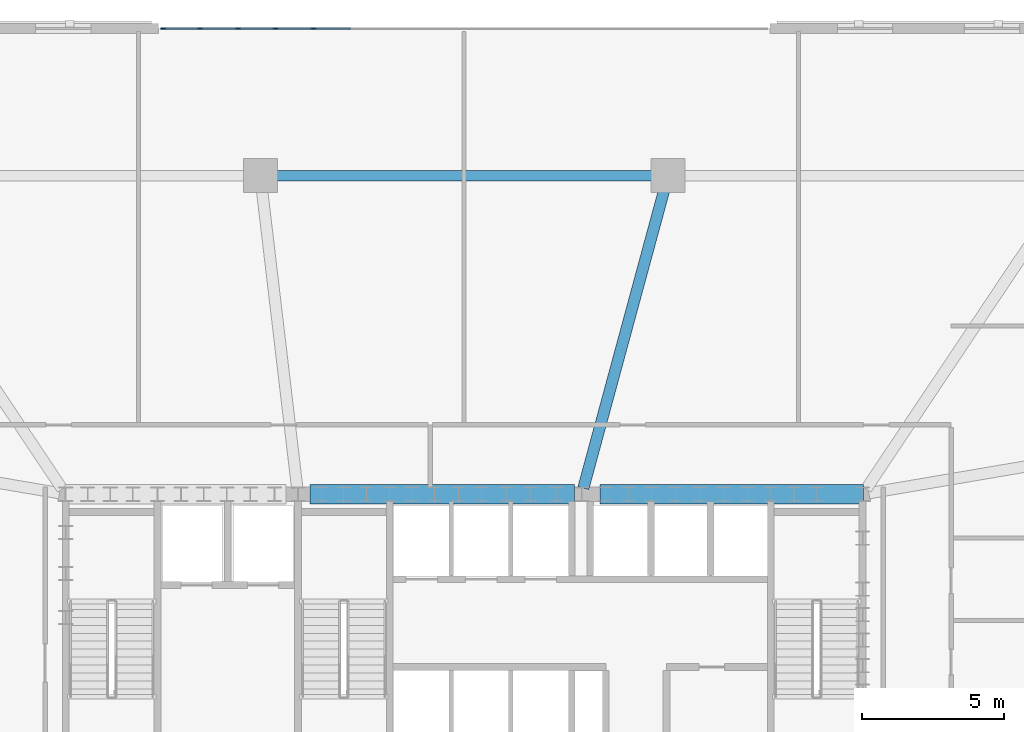
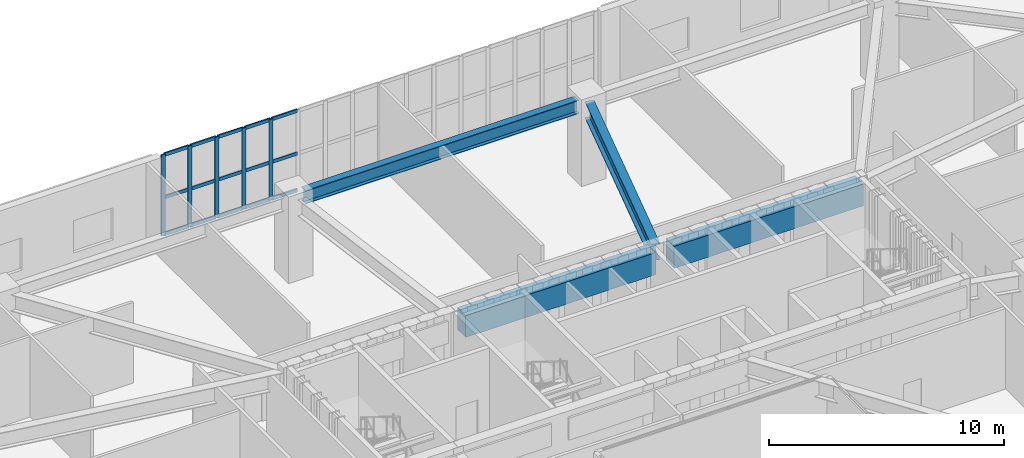
# One storey, part 9 of 25: 20 members, 4 beams, 1 element without a shape of its own.
"""IFC4 building model written with IfcOpenShell, lengths in metres."""

from ifc_helpers import new_model, si_unit, direction, frame, origin, origin_2d, place, context, subcontext, project, spatial, rectangle, i_section, extrude, material, material_profile, profile_set, type_object, element, aggregate, save


model = new_model("IFC4")

# Units and contexts
model_context = context("Model", 3, precision=1e-05, world=origin(), true_north=direction((0.0, 1.0)))
body_context = subcontext(model_context, "Body", "Model", "MODEL_VIEW")
ifc_project = project(units=[si_unit("LENGTHUNIT", "METRE"), si_unit("AREAUNIT", "SQUARE_METRE"), si_unit("VOLUMEUNIT", "CUBIC_METRE"), si_unit("PLANEANGLEUNIT", "RADIAN"), si_unit("MASSUNIT", "GRAM", prefix="KILO")], contexts=[model_context])

# Site, building, storey
site_placement = place(None, origin())
site = spatial("IfcSite", under=ifc_project, at=site_placement, CompositionType="ELEMENT")
building_placement = place(site_placement, origin())
building = spatial("IfcBuilding", under=site, at=building_placement, Name="Haldorwick Loom Tower", CompositionType="ELEMENT")
storey_placement = place(building_placement, frame((0.0, 0.0, 10.5)))
storey = spatial("IfcBuildingStorey", under=building, at=storey_placement, Name="L02", CompositionType="ELEMENT", Elevation=10.5)

# Curtain wall, members
ifc_material_1 = material(Name="Thermally Broken Anodized Aluminium Curtain Wall Framing", Category="aluminium")
curtain_wall_type = type_object("IfcCurtainWallType", Name="ARC-CW-02", PredefinedType="NOTDEFINED", material=ifc_material_1)
curtain_wall_placement = place(storey_placement, origin())
curtain_wall = element("IfcCurtainWall", 1, at=curtain_wall_placement, inside=storey, type_object=curtain_wall_type, Name="L02 Facade Curtain Wall CW-02 Bay 19", PredefinedType="NOTDEFINED")
ifc_material_profile_1 = material_profile(ifc_material_1, rectangle(XDim=0.070068359375, YDim=0.195068359375, at=origin_2d()), Name="ALU_MUL_70X195", Category="aluminium")
ifc_profile_set_1 = profile_set([ifc_material_profile_1], Name="Thermally Broken Anodized Aluminium Curtain Wall Framing")
member_type_1 = type_object("IfcMemberType", Name="ARC-CWM-02", PredefinedType="MULLION", material=ifc_profile_set_1)
member_1_placement = place(storey_placement, frame((30.669921875, 52.0, 0.0), z_axis=(0.0, 0.0, 1.0), x_axis=(0.0, -1.0, 0.0)))
member_1 = element("IfcMember", 2, at=member_1_placement, type_object=member_type_1, Name="CW-02 mullion 13", PredefinedType="MULLION", context=body_context, shape_type="SweptSolid", body=[
    extrude(rectangle(XDim=0.070068359375, YDim=0.195068359375, at=origin_2d()), origin(), (0.0, 0.0, 1.0), 4.199951171875),
])
member_2_placement = place(storey_placement, frame((29.33740234375, 52.0, 0.0), z_axis=(0.0, 0.0, 1.0), x_axis=(0.0, -1.0, 0.0)))
member_2 = element("IfcMember", 3, at=member_2_placement, type_object=member_type_1, Name="CW-02 mullion 14", PredefinedType="MULLION", context=body_context, shape_type="SweptSolid", body=[
    extrude(rectangle(XDim=0.070068359375, YDim=0.195068359375, at=origin_2d()), origin(), (0.0, 0.0, 1.0), 4.199951171875),
])
member_3_placement = place(storey_placement, frame((28.0048828125, 52.0, 0.0), z_axis=(0.0, 0.0, 1.0), x_axis=(0.0, -1.0, 0.0)))
member_3 = element("IfcMember", 4, at=member_3_placement, type_object=member_type_1, Name="CW-02 mullion 15", PredefinedType="MULLION", context=body_context, shape_type="SweptSolid", body=[
    extrude(rectangle(XDim=0.070068359375, YDim=0.195068359375, at=origin_2d()), origin(), (0.0, 0.0, 1.0), 4.199951171875),
])
member_4_placement = place(storey_placement, frame((26.672607421875, 52.0, 0.0), z_axis=(0.0, 0.0, 1.0), x_axis=(0.0, -1.0, 0.0)))
member_4 = element("IfcMember", 5, at=member_4_placement, type_object=member_type_1, Name="CW-02 mullion 16", PredefinedType="MULLION", context=body_context, shape_type="SweptSolid", body=[
    extrude(rectangle(XDim=0.070068359375, YDim=0.195068359375, at=origin_2d()), origin(), (0.0, 0.0, 1.0), 4.199951171875),
])
member_5_placement = place(storey_placement, frame((25.375, 52.0, 0.0), z_axis=(0.0, 0.0, 1.0), x_axis=(0.0, -1.0, 0.0)))
member_5 = element("IfcMember", 6, at=member_5_placement, type_object=member_type_1, Name="CW-02 mullion 17", PredefinedType="MULLION", context=body_context, shape_type="SweptSolid", body=[
    extrude(rectangle(XDim=0.070068359375, YDim=0.195068359375, at=origin_2d()), origin(), (0.0, 0.0, 1.0), 4.199951171875),
])
ifc_material_profile_2 = material_profile(ifc_material_1, rectangle(XDim=0.070068359375, YDim=0.175048828125, at=origin_2d()), Name="ALU_TRN_70X175", Category="aluminium")
ifc_profile_set_2 = profile_set([ifc_material_profile_2], Name="Thermally Broken Anodized Aluminium Curtain Wall Framing")
member_type_2 = type_object("IfcMemberType", Name="ARC-CWT-02", PredefinedType="USERDEFINED", material=ifc_profile_set_2)
member_6_placement = place(storey_placement, frame((31.967529296875, 52.0, 0.034912109375), z_axis=(-1.0, 0.0, 0.0), x_axis=(0.0, -1.0, 0.0)))
member_6 = element("IfcMember", 7, at=member_6_placement, type_object=member_type_2, Name="CW-02 transom 12.1", ObjectType="TRANSOM", PredefinedType="USERDEFINED", context=body_context, shape_type="SweptSolid", body=[
    extrude(rectangle(XDim=0.070068359375, YDim=0.175048828125, at=origin_2d()), origin(), (0.0, 0.0, 1.0), 1.262451171875),
])
member_7_placement = place(storey_placement, frame((31.967529296875, 52.0, 1.949951171875), z_axis=(-1.0, 0.0, 0.0), x_axis=(0.0, -1.0, 0.0)))
member_7 = element("IfcMember", 8, at=member_7_placement, type_object=member_type_2, Name="CW-02 transom 12.2", ObjectType="TRANSOM", PredefinedType="USERDEFINED", context=body_context, shape_type="SweptSolid", body=[
    extrude(rectangle(XDim=0.070068359375, YDim=0.175048828125, at=origin_2d()), origin(), (0.0, 0.0, 1.0), 1.262451171875),
])
member_8_placement = place(storey_placement, frame((31.967529296875, 52.0, 4.1650390625), z_axis=(-1.0, 0.0, 0.0), x_axis=(0.0, -1.0, 0.0)))
member_8 = element("IfcMember", 9, at=member_8_placement, type_object=member_type_2, Name="CW-02 transom 12.3", ObjectType="TRANSOM", PredefinedType="USERDEFINED", context=body_context, shape_type="SweptSolid", body=[
    extrude(rectangle(XDim=0.070068359375, YDim=0.175048828125, at=origin_2d()), origin(), (0.0, 0.0, 1.0), 1.262451171875),
])
member_9_placement = place(storey_placement, frame((30.635009765625, 52.0, 0.034912109375), z_axis=(-1.0, 0.0, 0.0), x_axis=(0.0, -1.0, 0.0)))
member_9 = element("IfcMember", 10, at=member_9_placement, type_object=member_type_2, Name="CW-02 transom 13.1", ObjectType="TRANSOM", PredefinedType="USERDEFINED", context=body_context, shape_type="SweptSolid", body=[
    extrude(rectangle(XDim=0.070068359375, YDim=0.175048828125, at=origin_2d()), origin(), (0.0, 0.0, 1.0), 1.262451171875),
])
member_10_placement = place(storey_placement, frame((30.635009765625, 52.0, 1.949951171875), z_axis=(-1.0, 0.0, 0.0), x_axis=(0.0, -1.0, 0.0)))
member_10 = element("IfcMember", 11, at=member_10_placement, type_object=member_type_2, Name="CW-02 transom 13.2", ObjectType="TRANSOM", PredefinedType="USERDEFINED", context=body_context, shape_type="SweptSolid", body=[
    extrude(rectangle(XDim=0.070068359375, YDim=0.175048828125, at=origin_2d()), origin(), (0.0, 0.0, 1.0), 1.262451171875),
])
member_11_placement = place(storey_placement, frame((30.635009765625, 52.0, 4.1650390625), z_axis=(-1.0, 0.0, 0.0), x_axis=(0.0, -1.0, 0.0)))
member_11 = element("IfcMember", 12, at=member_11_placement, type_object=member_type_2, Name="CW-02 transom 13.3", ObjectType="TRANSOM", PredefinedType="USERDEFINED", context=body_context, shape_type="SweptSolid", body=[
    extrude(rectangle(XDim=0.070068359375, YDim=0.175048828125, at=origin_2d()), origin(), (0.0, 0.0, 1.0), 1.262451171875),
])
member_12_placement = place(storey_placement, frame((29.302490234375, 52.0, 0.034912109375), z_axis=(-1.0, 0.0, 0.0), x_axis=(0.0, -1.0, 0.0)))
member_12 = element("IfcMember", 13, at=member_12_placement, type_object=member_type_2, Name="CW-02 transom 14.1", ObjectType="TRANSOM", PredefinedType="USERDEFINED", context=body_context, shape_type="SweptSolid", body=[
    extrude(rectangle(XDim=0.070068359375, YDim=0.175048828125, at=origin_2d()), origin(), (0.0, 0.0, 1.0), 1.262451171875),
])
member_13_placement = place(storey_placement, frame((29.302490234375, 52.0, 1.949951171875), z_axis=(-1.0, 0.0, 0.0), x_axis=(0.0, -1.0, 0.0)))
member_13 = element("IfcMember", 14, at=member_13_placement, type_object=member_type_2, Name="CW-02 transom 14.2", ObjectType="TRANSOM", PredefinedType="USERDEFINED", context=body_context, shape_type="SweptSolid", body=[
    extrude(rectangle(XDim=0.070068359375, YDim=0.175048828125, at=origin_2d()), origin(), (0.0, 0.0, 1.0), 1.262451171875),
])
member_14_placement = place(storey_placement, frame((29.302490234375, 52.0, 4.1650390625), z_axis=(-1.0, 0.0, 0.0), x_axis=(0.0, -1.0, 0.0)))
member_14 = element("IfcMember", 15, at=member_14_placement, type_object=member_type_2, Name="CW-02 transom 14.3", ObjectType="TRANSOM", PredefinedType="USERDEFINED", context=body_context, shape_type="SweptSolid", body=[
    extrude(rectangle(XDim=0.070068359375, YDim=0.175048828125, at=origin_2d()), origin(), (0.0, 0.0, 1.0), 1.262451171875),
])
member_15_placement = place(storey_placement, frame((27.969970703125, 52.0, 0.034912109375), z_axis=(-1.0, 0.0, 0.0), x_axis=(0.0, -1.0, 0.0)))
member_15 = element("IfcMember", 16, at=member_15_placement, type_object=member_type_2, Name="CW-02 transom 15.1", ObjectType="TRANSOM", PredefinedType="USERDEFINED", context=body_context, shape_type="SweptSolid", body=[
    extrude(rectangle(XDim=0.070068359375, YDim=0.175048828125, at=origin_2d()), origin(), (0.0, 0.0, 1.0), 1.262451171875),
])
member_16_placement = place(storey_placement, frame((27.969970703125, 52.0, 1.949951171875), z_axis=(-1.0, 0.0, 0.0), x_axis=(0.0, -1.0, 0.0)))
member_16 = element("IfcMember", 17, at=member_16_placement, type_object=member_type_2, Name="CW-02 transom 15.2", ObjectType="TRANSOM", PredefinedType="USERDEFINED", context=body_context, shape_type="SweptSolid", body=[
    extrude(rectangle(XDim=0.070068359375, YDim=0.175048828125, at=origin_2d()), origin(), (0.0, 0.0, 1.0), 1.262451171875),
])
member_17_placement = place(storey_placement, frame((27.969970703125, 52.0, 4.1650390625), z_axis=(-1.0, 0.0, 0.0), x_axis=(0.0, -1.0, 0.0)))
member_17 = element("IfcMember", 18, at=member_17_placement, type_object=member_type_2, Name="CW-02 transom 15.3", ObjectType="TRANSOM", PredefinedType="USERDEFINED", context=body_context, shape_type="SweptSolid", body=[
    extrude(rectangle(XDim=0.070068359375, YDim=0.175048828125, at=origin_2d()), origin(), (0.0, 0.0, 1.0), 1.262451171875),
])
member_18_placement = place(storey_placement, frame((26.637451171875, 52.0, 0.034912109375), z_axis=(-1.0, 0.0, 0.0), x_axis=(0.0, -1.0, 0.0)))
member_18 = element("IfcMember", 19, at=member_18_placement, type_object=member_type_2, Name="CW-02 transom 16.1", ObjectType="TRANSOM", PredefinedType="USERDEFINED", context=body_context, shape_type="SweptSolid", body=[
    extrude(rectangle(XDim=0.070068359375, YDim=0.175048828125, at=origin_2d()), origin(), (0.0, 0.0, 1.0), 1.2275390625),
])
member_19_placement = place(storey_placement, frame((26.637451171875, 52.0, 1.949951171875), z_axis=(-1.0, 0.0, 0.0), x_axis=(0.0, -1.0, 0.0)))
member_19 = element("IfcMember", 20, at=member_19_placement, type_object=member_type_2, Name="CW-02 transom 16.2", ObjectType="TRANSOM", PredefinedType="USERDEFINED", context=body_context, shape_type="SweptSolid", body=[
    extrude(rectangle(XDim=0.070068359375, YDim=0.175048828125, at=origin_2d()), origin(), (0.0, 0.0, 1.0), 1.2275390625),
])
member_20_placement = place(storey_placement, frame((26.637451171875, 52.0, 4.1650390625), z_axis=(-1.0, 0.0, 0.0), x_axis=(0.0, -1.0, 0.0)))
member_20 = element("IfcMember", 21, at=member_20_placement, type_object=member_type_2, Name="CW-02 transom 16.3", ObjectType="TRANSOM", PredefinedType="USERDEFINED", context=body_context, shape_type="SweptSolid", body=[
    extrude(rectangle(XDim=0.070068359375, YDim=0.175048828125, at=origin_2d()), origin(), (0.0, 0.0, 1.0), 1.2275390625),
])
aggregate(curtain_wall, [member_1, member_2, member_3, member_4, member_5, member_6, member_7, member_8, member_9, member_10, member_11, member_12, member_13, member_14, member_15, member_16, member_17, member_18, member_19, member_20])

# Beams
ifc_material_2 = material(Name="Concrete C60 (60 MPa)", Category="concrete")
ifc_material_profile_3 = material_profile(ifc_material_2, rectangle(XDim=0.699951171875, YDim=1.14990234375, at=origin_2d()), Name="RC700X1150", Category="concrete")
ifc_profile_set_3 = profile_set([ifc_material_profile_3], Name="Concrete C60 (60 MPa)")
beam_type_1 = type_object("IfcBeamType", Name="STR-BM-CB1150", PredefinedType="LINTEL", material=ifc_profile_set_3)
beam_1_placement = place(storey_placement, frame((30.550048828125, 35.550048828125, 3.625), z_axis=(1.0, 0.0, 0.0), x_axis=(0.0, 1.0, 0.0)))
element("IfcBeam", 22, at=beam_1_placement, inside=storey, type_object=beam_type_1, Name="L02 Core Coupling Beam CB-N2", PredefinedType="LINTEL", context=body_context, shape_type="SweptSolid", body=[
    extrude(rectangle(XDim=0.699951171875, YDim=1.14990234375, at=origin_2d()), origin(), (0.0, 0.0, 1.0), 9.349853515625),
])
beam_2_placement = place(storey_placement, frame((40.800048828125, 35.550048828125, 3.625), z_axis=(1.0, 0.0, 0.0), x_axis=(0.0, 1.0, 0.0)))
element("IfcBeam", 23, at=beam_2_placement, inside=storey, type_object=beam_type_1, Name="L02 Core Coupling Beam CB-N3", PredefinedType="LINTEL", context=body_context, shape_type="SweptSolid", body=[
    extrude(rectangle(XDim=0.699951171875, YDim=1.14990234375, at=origin_2d()), origin(), (0.0, 0.0, 1.0), 9.300048828125),
])
ifc_material_3 = material(Name="Steel CSA G40.21 350W", Category="steel")
ifc_material_profile_4 = material_profile(ifc_material_3, i_section(OverallWidth=0.35498046875, OverallDepth=0.695068359375, WebThickness=0.015380859375, FlangeThickness=0.02490234375, at=origin_2d()), Name="W690X217", Category="steel")
ifc_profile_set_4 = profile_set([ifc_material_profile_4], Name="Steel CSA G40.21 350W")
beam_type_2 = type_object("IfcBeamType", Name="STR-BM-SP690", PredefinedType="SPANDREL", material=ifc_profile_set_4)
beam_3_placement = place(storey_placement, frame((42.719970703125, 46.800048828125, 3.8525390625), z_axis=(-1.0, 0.0, 0.0), x_axis=(0.0, -1.0, 0.0)))
element("IfcBeam", 24, at=beam_3_placement, inside=storey, type_object=beam_type_2, Name="L02 Podium Spandrel PSP-N2", PredefinedType="SPANDREL", context=body_context, shape_type="SweptSolid", body=[
    extrude(i_section(OverallWidth=0.35498046875, OverallDepth=0.695068359375, WebThickness=0.015380859375, FlangeThickness=0.02490234375, at=origin_2d()), origin(), (0.0, 0.0, 1.0), 13.43994140625),
])
ifc_material_profile_5 = material_profile(ifc_material_3, i_section(OverallWidth=0.39990234375, OverallDepth=0.85498046875, WebThickness=0.018310546875, FlangeThickness=0.029296875, at=origin_2d()), Name="W840X299", Category="steel")
ifc_profile_set_5 = profile_set([ifc_material_profile_5], Name="Steel CSA G40.21 350W")
beam_type_3 = type_object("IfcBeamType", Name="STR-BM-W840", PredefinedType="BEAM", material=ifc_profile_set_5)
beam_4_placement = place(storey_placement, frame((43.082275390625, 46.36572265625, 3.7724609375), z_axis=(-0.261655396266, -0.965161361434, 0.0), x_axis=(0.965161361434, -0.261655396266, 0.0)))
element("IfcBeam", 25, at=beam_4_placement, inside=storey, type_object=beam_type_3, Name="L02 Podium Primary Girder PG-14", PredefinedType="BEAM", context=body_context, shape_type="SweptSolid", body=[
    extrude(i_section(OverallWidth=0.39990234375, OverallDepth=0.85498046875, WebThickness=0.018310546875, FlangeThickness=0.029296875, at=origin_2d()), origin(), (0.0, 0.0, 1.0), 10.981201171875),
])

save(model, "model.ifc")
